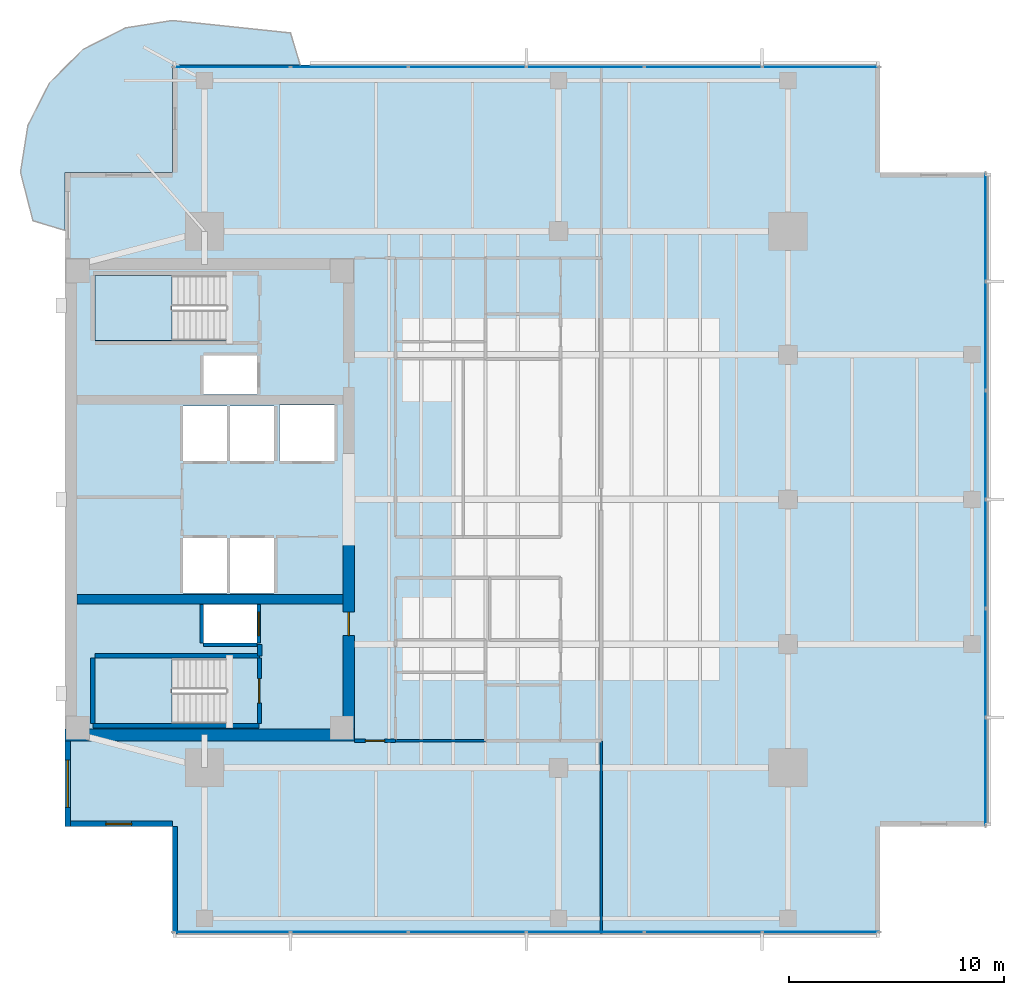
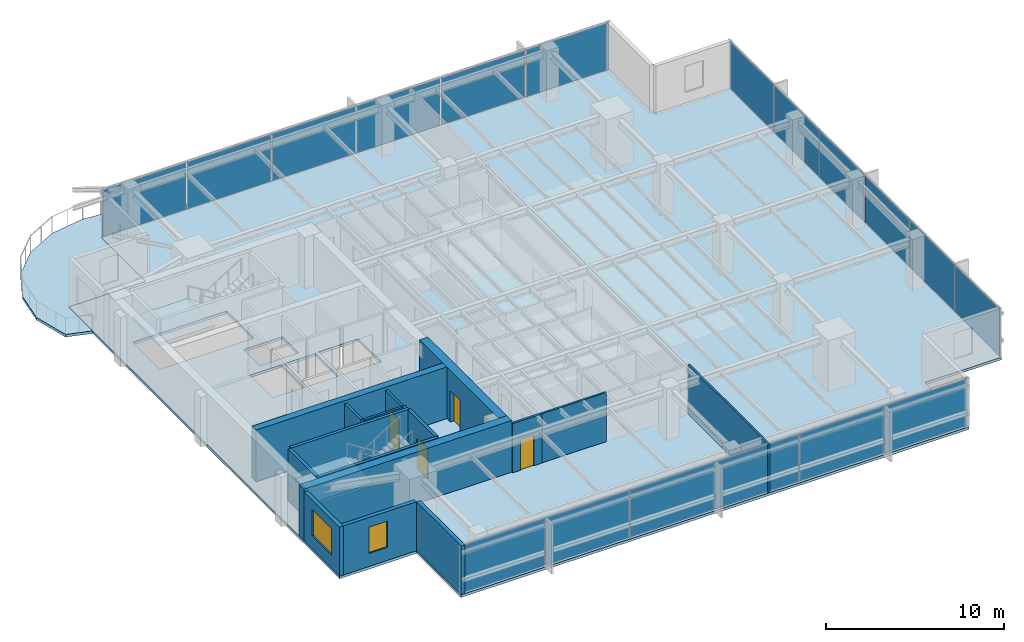
# One storey, part 7 of 14: 18 plates, 17 walls, 4 doors, 4 slabs, 2 windows, 6 openings, 5 elements without a shape of their own.
"""IFC4 building model written with IfcOpenShell, lengths in metres."""

from ifc_helpers import new_model, si_unit, direction, frame, frame_2d, origin, origin_2d, place, context, subcontext, project, spatial, polyline, rectangle, outline, extrude, material, layer, layer_set, type_object, element, fill, aggregate, save


model = new_model("IFC4")

# Units and contexts
model_context = context("Model", 3, precision=1e-05, world=origin(), true_north=direction((0.0, 1.0)))
body_context = subcontext(model_context, "Body", "Model", "MODEL_VIEW")
ifc_project = project(units=[si_unit("LENGTHUNIT", "METRE"), si_unit("AREAUNIT", "SQUARE_METRE"), si_unit("VOLUMEUNIT", "CUBIC_METRE"), si_unit("PLANEANGLEUNIT", "RADIAN"), si_unit("MASSUNIT", "GRAM", prefix="KILO")], contexts=[model_context])

# Site, building, storey
site_placement = place(None, origin())
site = spatial("IfcSite", under=ifc_project, at=site_placement, CompositionType="ELEMENT")
building_placement = place(site_placement, origin())
building = spatial("IfcBuilding", under=site, at=building_placement, Name="Kinhvarn Gate Tower", CompositionType="ELEMENT")
storey_placement = place(building_placement, frame((0.0, 0.0, 198.699951171875)))
storey = spatial("IfcBuildingStorey", under=building, at=storey_placement, Name="L52", CompositionType="ELEMENT", Elevation=198.699951171875)

# Curtain wall, plates
ifc_material_1 = material(Name="Anodised aluminium AW-6063", Category="aluminium")
ifc_layer_1 = layer(ifc_material_1, 0.179931640625)
ifc_layer_set_1 = layer_set([ifc_layer_1], Name="Anodised aluminium AW-6063")
curtain_wall_type = type_object("IfcCurtainWallType", Name="CW-SYS-3", PredefinedType="NOTDEFINED", material=ifc_layer_set_1)
curtain_wall_1_placement = place(storey_placement, origin())
curtain_wall_1 = element("IfcCurtainWall", 1, at=curtain_wall_1_placement, inside=storey, type_object=curtain_wall_type, Name="Curtain Wall CW3 (L52)", PredefinedType="NOTDEFINED")
ifc_material_2 = material(Name="Clear low-e double glazing", Category="glass")
ifc_layer_2 = layer(ifc_material_2, 0.031982421875)
ifc_layer_set_2 = layer_set([ifc_layer_2], Name="Clear low-e double glazing")
plate_type = type_object("IfcPlateType", Name="CW-PNL-VIS", PredefinedType="CURTAIN_PANEL", material=ifc_layer_set_2)
plate_1_placement = place(storey_placement, frame((12.266357421875, 5.090087890625, 0.070068359375), z_axis=(0.0, 0.0, 1.0), x_axis=(1.0, 0.0, 0.0)))
plate_1 = element("IfcPlate", 2, at=plate_1_placement, type_object=plate_type, Name="CW3 panel 1.1", PredefinedType="CURTAIN_PANEL", context=body_context, shape_type="SweptSolid", body=[
    extrude(rectangle(XDim=5.402587890625, YDim=0.031982421875, at=origin_2d()), origin(), (0.0, 0.0, 1.0), 3.22998046875),
])
plate_2_placement = place(storey_placement, frame((17.75, 5.090087890625, 0.070068359375), z_axis=(0.0, 0.0, 1.0), x_axis=(1.0, 0.0, 0.0)))
plate_2 = element("IfcPlate", 3, at=plate_2_placement, type_object=plate_type, Name="CW3 panel 2.1", PredefinedType="CURTAIN_PANEL", context=body_context, shape_type="SweptSolid", body=[
    extrude(rectangle(XDim=5.43505859375, YDim=0.031982421875, at=origin_2d()), origin(), (0.0, 0.0, 1.0), 3.22998046875),
])
plate_3_placement = place(storey_placement, frame((23.25, 5.090087890625, 0.070068359375), z_axis=(0.0, 0.0, 1.0), x_axis=(1.0, 0.0, 0.0)))
plate_3 = element("IfcPlate", 4, at=plate_3_placement, type_object=plate_type, Name="CW3 panel 3.1", PredefinedType="CURTAIN_PANEL", context=body_context, shape_type="SweptSolid", body=[
    extrude(rectangle(XDim=5.43505859375, YDim=0.031982421875, at=origin_2d()), origin(), (0.0, 0.0, 1.0), 3.22998046875),
])
plate_4_placement = place(storey_placement, frame((28.75, 5.090087890625, 0.070068359375), z_axis=(0.0, 0.0, 1.0), x_axis=(1.0, 0.0, 0.0)))
plate_4 = element("IfcPlate", 5, at=plate_4_placement, type_object=plate_type, Name="CW3 panel 4.1", PredefinedType="CURTAIN_PANEL", context=body_context, shape_type="SweptSolid", body=[
    extrude(rectangle(XDim=5.43505859375, YDim=0.031982421875, at=origin_2d()), origin(), (0.0, 0.0, 1.0), 3.22998046875),
])
plate_5_placement = place(storey_placement, frame((34.25, 5.090087890625, 0.070068359375), z_axis=(0.0, 0.0, 1.0), x_axis=(1.0, 0.0, 0.0)))
plate_5 = element("IfcPlate", 6, at=plate_5_placement, type_object=plate_type, Name="CW3 panel 5.1", PredefinedType="CURTAIN_PANEL", context=body_context, shape_type="SweptSolid", body=[
    extrude(rectangle(XDim=5.43505859375, YDim=0.031982421875, at=origin_2d()), origin(), (0.0, 0.0, 1.0), 3.22998046875),
])
plate_6_placement = place(storey_placement, frame((39.733642578125, 5.090087890625, 0.070068359375), z_axis=(0.0, 0.0, 1.0), x_axis=(1.0, 0.0, 0.0)))
plate_6 = element("IfcPlate", 7, at=plate_6_placement, type_object=plate_type, Name="CW3 panel 6.1", PredefinedType="CURTAIN_PANEL", context=body_context, shape_type="SweptSolid", body=[
    extrude(rectangle(XDim=5.402587890625, YDim=0.031982421875, at=origin_2d()), origin(), (0.0, 0.0, 1.0), 3.22998046875),
])
aggregate(curtain_wall_1, [plate_1, plate_2, plate_3, plate_4, plate_5, plate_6])

curtain_wall_2_placement = place(storey_placement, origin())
curtain_wall_2 = element("IfcCurtainWall", 8, at=curtain_wall_2_placement, inside=storey, type_object=curtain_wall_type, Name="Curtain Wall CW3 (L52)", PredefinedType="NOTDEFINED")
plate_7_placement = place(storey_placement, frame((39.733642578125, 45.409912109375, 0.070068359375), z_axis=(0.0, 0.0, 1.0), x_axis=(-1.0, 0.0, 0.0)))
plate_7 = element("IfcPlate", 9, at=plate_7_placement, type_object=plate_type, Name="CW3 panel 1.1", PredefinedType="CURTAIN_PANEL", context=body_context, shape_type="SweptSolid", body=[
    extrude(rectangle(XDim=5.402587890625, YDim=0.031982421875, at=origin_2d()), origin(), (0.0, 0.0, 1.0), 3.22998046875),
])
plate_8_placement = place(storey_placement, frame((34.25, 45.409912109375, 0.070068359375), z_axis=(0.0, 0.0, 1.0), x_axis=(-1.0, 0.0, 0.0)))
plate_8 = element("IfcPlate", 10, at=plate_8_placement, type_object=plate_type, Name="CW3 panel 2.1", PredefinedType="CURTAIN_PANEL", context=body_context, shape_type="SweptSolid", body=[
    extrude(rectangle(XDim=5.43505859375, YDim=0.031982421875, at=origin_2d()), origin(), (0.0, 0.0, 1.0), 3.22998046875),
])
plate_9_placement = place(storey_placement, frame((28.75, 45.409912109375, 0.070068359375), z_axis=(0.0, 0.0, 1.0), x_axis=(-1.0, 0.0, 0.0)))
plate_9 = element("IfcPlate", 11, at=plate_9_placement, type_object=plate_type, Name="CW3 panel 3.1", PredefinedType="CURTAIN_PANEL", context=body_context, shape_type="SweptSolid", body=[
    extrude(rectangle(XDim=5.43505859375, YDim=0.031982421875, at=origin_2d()), origin(), (0.0, 0.0, 1.0), 3.22998046875),
])
plate_10_placement = place(storey_placement, frame((23.25, 45.409912109375, 0.070068359375), z_axis=(0.0, 0.0, 1.0), x_axis=(-1.0, 0.0, 0.0)))
plate_10 = element("IfcPlate", 12, at=plate_10_placement, type_object=plate_type, Name="CW3 panel 4.1", PredefinedType="CURTAIN_PANEL", context=body_context, shape_type="SweptSolid", body=[
    extrude(rectangle(XDim=5.43505859375, YDim=0.031982421875, at=origin_2d()), origin(), (0.0, 0.0, 1.0), 3.22998046875),
])
plate_11_placement = place(storey_placement, frame((17.75, 45.409912109375, 0.070068359375), z_axis=(0.0, 0.0, 1.0), x_axis=(-1.0, 0.0, 0.0)))
plate_11 = element("IfcPlate", 13, at=plate_11_placement, type_object=plate_type, Name="CW3 panel 5.1", PredefinedType="CURTAIN_PANEL", context=body_context, shape_type="SweptSolid", body=[
    extrude(rectangle(XDim=5.43505859375, YDim=0.031982421875, at=origin_2d()), origin(), (0.0, 0.0, 1.0), 3.22998046875),
])
plate_12_placement = place(storey_placement, frame((12.266357421875, 45.409912109375, 0.070068359375), z_axis=(0.0, 0.0, 1.0), x_axis=(-1.0, 0.0, 0.0)))
plate_12 = element("IfcPlate", 14, at=plate_12_placement, type_object=plate_type, Name="CW3 panel 6.1", PredefinedType="CURTAIN_PANEL", context=body_context, shape_type="SweptSolid", body=[
    extrude(rectangle(XDim=5.402587890625, YDim=0.031982421875, at=origin_2d()), origin(), (0.0, 0.0, 1.0), 3.22998046875),
])
aggregate(curtain_wall_2, [plate_7, plate_8, plate_9, plate_10, plate_11, plate_12])

curtain_wall_3_placement = place(storey_placement, origin())
curtain_wall_3 = element("IfcCurtainWall", 15, at=curtain_wall_3_placement, inside=storey, type_object=curtain_wall_type, Name="Curtain Wall CW3 (L52)", PredefinedType="NOTDEFINED")
plate_13_placement = place(storey_placement, frame((47.409912109375, 12.557861328125, 0.070068359375), z_axis=(0.0, 0.0, 1.0), x_axis=(0.0, 1.0, 0.0)))
plate_13 = element("IfcPlate", 16, at=plate_13_placement, type_object=plate_type, Name="CW3 panel 1.1", PredefinedType="CURTAIN_PANEL", context=body_context, shape_type="SweptSolid", body=[
    extrude(rectangle(XDim=4.98583984375, YDim=0.031982421875, at=origin_2d()), origin(), (0.0, 0.0, 1.0), 3.22998046875),
])
plate_14_placement = place(storey_placement, frame((47.409912109375, 17.625, 0.070068359375), z_axis=(0.0, 0.0, 1.0), x_axis=(0.0, 1.0, 0.0)))
plate_14 = element("IfcPlate", 17, at=plate_14_placement, type_object=plate_type, Name="CW3 panel 2.1", PredefinedType="CURTAIN_PANEL", context=body_context, shape_type="SweptSolid", body=[
    extrude(rectangle(XDim=5.018310546875, YDim=0.031982421875, at=origin_2d()), origin(), (0.0, 0.0, 1.0), 3.22998046875),
])
plate_15_placement = place(storey_placement, frame((47.409912109375, 22.708251953125, 0.070068359375), z_axis=(0.0, 0.0, 1.0), x_axis=(0.0, 1.0, 0.0)))
plate_15 = element("IfcPlate", 18, at=plate_15_placement, type_object=plate_type, Name="CW3 panel 3.1", PredefinedType="CURTAIN_PANEL", context=body_context, shape_type="SweptSolid", body=[
    extrude(rectangle(XDim=5.018310546875, YDim=0.031982421875, at=origin_2d()), origin(), (0.0, 0.0, 1.0), 3.22998046875),
])
plate_16_placement = place(storey_placement, frame((47.409912109375, 27.791748046875, 0.070068359375), z_axis=(0.0, 0.0, 1.0), x_axis=(0.0, 1.0, 0.0)))
plate_16 = element("IfcPlate", 19, at=plate_16_placement, type_object=plate_type, Name="CW3 panel 4.1", PredefinedType="CURTAIN_PANEL", context=body_context, shape_type="SweptSolid", body=[
    extrude(rectangle(XDim=5.018310546875, YDim=0.031982421875, at=origin_2d()), origin(), (0.0, 0.0, 1.0), 3.22998046875),
])
plate_17_placement = place(storey_placement, frame((47.409912109375, 32.875, 0.070068359375), z_axis=(0.0, 0.0, 1.0), x_axis=(0.0, 1.0, 0.0)))
plate_17 = element("IfcPlate", 20, at=plate_17_placement, type_object=plate_type, Name="CW3 panel 5.1", PredefinedType="CURTAIN_PANEL", context=body_context, shape_type="SweptSolid", body=[
    extrude(rectangle(XDim=5.018310546875, YDim=0.031982421875, at=origin_2d()), origin(), (0.0, 0.0, 1.0), 3.22998046875),
])
plate_18_placement = place(storey_placement, frame((47.409912109375, 37.942138671875, 0.070068359375), z_axis=(0.0, 0.0, 1.0), x_axis=(0.0, 1.0, 0.0)))
plate_18 = element("IfcPlate", 21, at=plate_18_placement, type_object=plate_type, Name="CW3 panel 6.1", PredefinedType="CURTAIN_PANEL", context=body_context, shape_type="SweptSolid", body=[
    extrude(rectangle(XDim=4.98583984375, YDim=0.031982421875, at=origin_2d()), origin(), (0.0, 0.0, 1.0), 3.22998046875),
])
aggregate(curtain_wall_3, [plate_13, plate_14, plate_15, plate_16, plate_17, plate_18])

# Slabs
ifc_material_3 = material(Name="Precast white architectural concrete C40/50", Category="concrete")
ifc_layer_3 = layer(ifc_material_3, 0.179931640625)
ifc_layer_set_3 = layer_set([ifc_layer_3], Name="Precast white architectural concrete C40/50")
slab_type_1 = type_object("IfcSlabType", Name="SLB-BAL-180", PredefinedType="FLOOR", material=ifc_layer_set_3)
slab_1_placement = place(storey_placement, frame((0.0, 0.0, -0.179931640625)))
element("IfcSlab", 22, at=slab_1_placement, inside=storey, type_object=slab_type_1, Name="S-Carve Curved Terrace Balcony Slab L52 (NW)", PredefinedType="FLOOR", context=body_context, shape_type="SweptSolid", body=[
    extrude(outline(polyline([(15.4609375, 45.5), (15.010986328125, 46.99462890625), (9.5, 47.575927734375), (7.3134765625, 47.229736328125), (5.3408203125, 46.224609375), (3.775390625, 44.6591796875), (2.770263671875, 42.6865234375), (2.424072265625, 40.5), (3.00537109375, 38.241943359375), (4.5, 37.7919921875), (4.5, 40.5), (9.5, 40.5), (9.5, 45.5), (15.4609375, 45.5)])), origin(), (0.0, 0.0, 1.0), 0.179931640625),
])
ifc_material_4 = material(Name="Concrete C40/50", Category="concrete")
ifc_layer_4 = layer(ifc_material_4, 0.179931640625)
ifc_layer_set_4 = layer_set([ifc_layer_4], Name="Concrete C40/50")
slab_type_2 = type_object("IfcSlabType", Name="SLB-FLR-180", PredefinedType="FLOOR", material=ifc_layer_set_4)
slab_2_placement = place(storey_placement, frame((0.0, 0.0, -0.179931640625)))
element("IfcSlab", 23, at=slab_2_placement, inside=storey, type_object=slab_type_2, Name="Suspended Floor Slab L52", PredefinedType="FLOOR", context=body_context, shape_type="SweptSolid", body=[
    extrude(outline(polyline([(9.5, 5.0), (42.5, 5.0), (42.5, 10.0), (47.5, 10.0), (47.5, 40.5), (42.5, 40.5), (42.5, 45.5), (9.5, 45.5), (9.5, 40.5), (4.5, 40.5), (4.5, 10.0), (9.5, 10.0), (9.5, 5.0)]), holes=[polyline([(5.89990234375, 14.800048828125), (12.0, 14.800048828125), (12.0, 17.85009765625), (5.89990234375, 17.85009765625), (5.89990234375, 14.800048828125)]), polyline([(5.89990234375, 32.64990234375), (12.0, 32.64990234375), (12.0, 35.699951171875), (5.89990234375, 35.699951171875), (5.89990234375, 32.64990234375)]), polyline([(10.0, 20.89990234375), (12.050048828125, 20.89990234375), (12.050048828125, 23.449951171875), (10.0, 23.449951171875), (10.0, 20.89990234375)]), polyline([(12.199951171875, 20.89990234375), (14.25, 20.89990234375), (14.25, 23.449951171875), (12.199951171875, 23.449951171875), (12.199951171875, 20.89990234375)]), polyline([(10.0, 27.050048828125), (12.050048828125, 27.050048828125), (12.050048828125, 29.60009765625), (10.0, 29.60009765625), (10.0, 27.050048828125)]), polyline([(12.199951171875, 27.050048828125), (14.25, 27.050048828125), (14.25, 29.60009765625), (12.199951171875, 29.60009765625), (12.199951171875, 27.050048828125)]), polyline([(14.5, 27.050048828125), (17.050048828125, 27.050048828125), (17.050048828125, 29.64990234375), (14.5, 29.64990234375), (14.5, 27.050048828125)]), polyline([(10.949951171875, 18.550048828125), (13.449951171875, 18.550048828125), (13.449951171875, 20.35009765625), (10.949951171875, 20.35009765625), (10.949951171875, 18.550048828125)]), polyline([(10.949951171875, 30.14990234375), (13.449951171875, 30.14990234375), (13.449951171875, 31.949951171875), (10.949951171875, 31.949951171875), (10.949951171875, 30.14990234375)])]), origin(), (0.0, 0.0, 1.0), 0.179931640625),
])

# Stair, slab
stair_type = type_object("IfcStairType", Name="STR-DLG-178", PredefinedType="HALF_TURN_STAIR", material=ifc_material_4)
stair_1_placement = place(storey_placement, origin())
stair_1 = element("IfcStair", 24, at=stair_1_placement, inside=storey, type_object=stair_type, Name="L52 Core Smokeproof Exit Stair ST1", PredefinedType="HALF_TURN_STAIR")
ifc_layer_5 = layer(ifc_material_4, 0.199951171875)
ifc_layer_set_5 = layer_set([ifc_layer_5], Name="Concrete C40/50")
slab_type_3 = type_object("IfcSlabType", Name="SLB-ST-LND", PredefinedType="LANDING", material=ifc_layer_set_5)
slab_3_placement = place(storey_placement, frame((0.0, 0.0, 1.574951171875)))
slab_3 = element("IfcSlab", 25, at=slab_3_placement, type_object=slab_type_3, Name="ST1 landing 1", PredefinedType="LANDING", context=body_context, shape_type="SweptSolid", body=[
    extrude(outline(polyline([(9.47998046875, 17.85009765625), (5.89990234375, 17.85009765625), (5.89990234375, 14.800048828125), (9.47998046875, 14.800048828125), (9.47998046875, 17.85009765625)])), origin(), (0.0, 0.0, 1.0), 0.2001953125),
])
aggregate(stair_1, [slab_3])

stair_2_placement = place(storey_placement, origin())
stair_2 = element("IfcStair", 26, at=stair_2_placement, inside=storey, type_object=stair_type, Name="L52 Core Smokeproof Exit Stair ST2", PredefinedType="HALF_TURN_STAIR")
slab_4_placement = place(storey_placement, frame((0.0, 0.0, 1.574951171875)))
slab_4 = element("IfcSlab", 27, at=slab_4_placement, type_object=slab_type_3, Name="ST2 landing 1", PredefinedType="LANDING", context=body_context, shape_type="SweptSolid", body=[
    extrude(outline(polyline([(9.47998046875, 35.699951171875), (5.89990234375, 35.699951171875), (5.89990234375, 32.64990234375), (9.47998046875, 32.64990234375), (9.47998046875, 35.699951171875)])), origin(), (0.0, 0.0, 1.0), 0.2001953125),
])
aggregate(stair_2, [slab_4])

# Walls
ifc_material_5 = material(Name="Concrete C50/60", Category="concrete")
ifc_layer_6 = layer(ifc_material_5, 0.449951171875)
ifc_layer_set_6 = layer_set([ifc_layer_6], Name="Concrete C50/60")
wall_type_1 = type_object("IfcWallType", Name="WL-CORE-450", PredefinedType="SHEAR", material=ifc_layer_set_6)
wall_1_placement = place(storey_placement, frame((5.050048828125, 20.60009765625, 0.0), z_axis=(0.0, 0.0, 1.0), x_axis=(1.0, 0.0, 0.0)))
element("IfcWall", 28, at=wall_1_placement, inside=storey, type_object=wall_type_1, Name="Core South Spine Shear Wall L52 450 mm", PredefinedType="SHEAR", context=body_context, shape_type="SweptSolid", body=[
    extrude(rectangle(XDim=12.39990234375, YDim=0.449951171875, at=frame_2d((6.199951171875, 0.0))), origin(), (0.0, 0.0, 1.0), 3.550048828125),
])
ifc_material_6 = material(Name="Concrete C60/75", Category="concrete")
ifc_layer_7 = layer(ifc_material_6, 0.550048828125)
ifc_layer_set_7 = layer_set([ifc_layer_7], Name="Concrete C60/75")
wall_type_2 = type_object("IfcWallType", Name="WL-CORE-550", PredefinedType="SHEAR", material=ifc_layer_set_7)
wall_2_placement = place(storey_placement, frame((4.5, 14.27490234375, 0.0), z_axis=(0.0, 0.0, 1.0), x_axis=(1.0, 0.0, 0.0)))
element("IfcWall", 29, at=wall_2_placement, inside=storey, type_object=wall_type_2, Name="Core South Shear Wall L52 550 mm", PredefinedType="SHEAR", context=body_context, shape_type="SweptSolid", body=[
    extrude(rectangle(XDim=13.5, YDim=0.550048828125, at=frame_2d((6.75, 0.0))), origin(), (0.0, 0.0, 1.0), 3.550048828125),
])

# Wall, opening, door
wall_3_placement = place(storey_placement, frame((17.72509765625, 14.550048828125, 0.0), z_axis=(0.0, 0.0, 1.0), x_axis=(0.0, 1.0, 0.0)))
wall_3 = element("IfcWall", 30, at=wall_3_placement, inside=storey, type_object=wall_type_2, Name="Core East-South Shear Pier L52 550 mm", PredefinedType="SHEAR", context=body_context, shape_type="SweptSolid", body=[
    extrude(rectangle(XDim=8.89990234375, YDim=0.550048828125, at=frame_2d((4.449951171875, 0.0))), origin(), (0.0, 0.0, 1.0), 3.550048828125),
])
opening_1_placement = place(wall_3_placement, frame((4.35009765625, 0.0, 0.0)))
opening_1 = element("IfcOpeningElement", 31, at=opening_1_placement, cuts=wall_3, Name="Opening FD-02", PredefinedType="OPENING", context=body_context, shape_type="SweptSolid", body=[
    extrude(rectangle(XDim=1.10009765625, YDim=2.14990234375, at=frame_2d((0.550048828125, 1.074951171875))), frame((0.0, 0.28515625, 0.0), z_axis=(0.0, -1.0, 0.0), x_axis=(1.0, 0.0, 0.0)), (0.0, 0.0, 1.0), 0.570068359375),
])
door_type_1 = type_object("IfcDoorType", Name="DR-FD-1100", OperationType="NOTDEFINED", PredefinedType="DOOR", material=ifc_material_1)
door_1_placement = place(opening_1_placement, origin())
door_1 = element("IfcDoor", 32, at=door_1_placement, inside=storey, type_object=door_type_1, Name="Firefighting Lobby Core Door (L52)", OperationType="SINGLE_SWING_RIGHT", OverallHeight=2.14990234375, OverallWidth=1.10009765625, PredefinedType="DOOR", context=body_context, shape_type="SweptSolid", body=[
    extrude(rectangle(XDim=1.10009765625, YDim=2.14990234375, at=frame_2d((0.550048828125, 1.074951171875))), frame((0.0, 0.02490234375, 0.0), z_axis=(0.0, -1.0, 0.0), x_axis=(1.0, 0.0, 0.0)), (0.0, 0.0, 1.0), 0.050048828125),
])
fill(opening_1, door_1)

# Wall, opening, window
ifc_material_7 = material(Name="Fired architectural terracotta", Category="masonry")
ifc_layer_8 = layer(ifc_material_7, 0.25)
ifc_layer_set_8 = layer_set([ifc_layer_8], Name="Fired architectural terracotta")
wall_type_3 = type_object("IfcWallType", Name="WL-EXT-250", PredefinedType="SOLIDWALL", material=ifc_layer_set_8)
wall_4_placement = place(storey_placement, frame((4.625, 14.0, 0.0), z_axis=(0.0, 0.0, 1.0), x_axis=(0.0, -1.0, 0.0)))
wall_4 = element("IfcWall", 33, at=wall_4_placement, inside=storey, type_object=wall_type_3, Name="Exterior Solidwall Wall EW-250 (L52 West-South)", PredefinedType="SOLIDWALL", context=body_context, shape_type="SweptSolid", body=[
    extrude(rectangle(XDim=4.0, YDim=0.25, at=frame_2d((2.0, 0.0))), origin(), (0.0, 0.0, 1.0), 3.3701171875),
])
opening_2_placement = place(wall_4_placement, frame((0.89990234375, 0.0, 0.89990234375)))
opening_2 = element("IfcOpeningElement", 34, at=opening_2_placement, cuts=wall_4, Name="Opening WN-01", PredefinedType="OPENING", context=body_context, shape_type="SweptSolid", body=[
    extrude(rectangle(XDim=2.199951171875, YDim=1.800048828125, at=frame_2d((1.10009765625, 0.89990234375))), frame((0.0, 0.135009765625, 0.0), z_axis=(0.0, -1.0, 0.0), x_axis=(1.0, 0.0, 0.0)), (0.0, 0.0, 1.0), 0.27001953125),
])
window_type_1 = type_object("IfcWindowType", Name="WIN-RIB-2200", PartitioningType="SINGLE_PANEL", PredefinedType="WINDOW", material=ifc_material_2)
window_1_placement = place(opening_2_placement, origin())
window_1 = element("IfcWindow", 35, at=window_1_placement, inside=storey, type_object=window_type_1, Name="West Flank Double-Glazed Ribbon Window 2200x1800 mm (L52)", OverallHeight=1.800048828125, OverallWidth=2.199951171875, PartitioningType="SINGLE_PANEL", PredefinedType="WINDOW", context=body_context, shape_type="SweptSolid", body=[
    extrude(rectangle(XDim=2.199951171875, YDim=1.800048828125, at=frame_2d((1.10009765625, 0.89990234375))), frame((0.0, 0.030029296875, 0.0), z_axis=(0.0, -1.0, 0.0), x_axis=(1.0, 0.0, 0.0)), (0.0, 0.0, 1.0), 0.06005859375),
])
fill(opening_2, window_1)

wall_5_placement = place(storey_placement, frame((4.5, 10.125, 0.0), z_axis=(0.0, 0.0, 1.0), x_axis=(1.0, 0.0, 0.0)))
wall_5 = element("IfcWall", 36, at=wall_5_placement, inside=storey, type_object=wall_type_3, Name="Exterior Solidwall Wall EW-250 (L52 SW-Notch-1)", PredefinedType="SOLIDWALL", context=body_context, shape_type="SweptSolid", body=[
    extrude(rectangle(XDim=5.0, YDim=0.25, at=frame_2d((2.5, 0.0))), origin(), (0.0, 0.0, 1.0), 3.3701171875),
])
opening_3_placement = place(wall_5_placement, frame((1.89990234375, 0.0, 0.89990234375)))
opening_3 = element("IfcOpeningElement", 37, at=opening_3_placement, cuts=wall_5, Name="Opening WN-02", PredefinedType="OPENING", context=body_context, shape_type="SweptSolid", body=[
    extrude(rectangle(XDim=1.199951171875, YDim=1.800048828125, at=frame_2d((0.60009765625, 0.89990234375))), frame((0.0, 0.135009765625, 0.0), z_axis=(0.0, -1.0, 0.0), x_axis=(1.0, 0.0, 0.0)), (0.0, 0.0, 1.0), 0.27001953125),
])
window_type_2 = type_object("IfcWindowType", Name="WIN-NTC-1200", PartitioningType="SINGLE_PANEL", PredefinedType="WINDOW", material=ifc_material_2)
window_2_placement = place(opening_3_placement, origin())
window_2 = element("IfcWindow", 38, at=window_2_placement, inside=storey, type_object=window_type_2, Name="Recessed Corner Notch Punched Window 1200x1800 mm (L52)", OverallHeight=1.800048828125, OverallWidth=1.199951171875, PartitioningType="SINGLE_PANEL", PredefinedType="WINDOW", context=body_context, shape_type="SweptSolid", body=[
    extrude(rectangle(XDim=1.199951171875, YDim=1.800048828125, at=frame_2d((0.60009765625, 0.89990234375))), frame((0.0, 0.030029296875, 0.0), z_axis=(0.0, -1.0, 0.0), x_axis=(1.0, 0.0, 0.0)), (0.0, 0.0, 1.0), 0.06005859375),
])
fill(opening_3, window_2)

# Walls
wall_6_placement = place(storey_placement, frame((9.625, 10.0, 0.0), z_axis=(0.0, 0.0, 1.0), x_axis=(0.0, -1.0, 0.0)))
element("IfcWall", 39, at=wall_6_placement, inside=storey, type_object=wall_type_3, Name="Exterior Solidwall Wall EW-250 (L52 SW-Notch-2)", PredefinedType="SOLIDWALL", context=body_context, shape_type="SweptSolid", body=[
    extrude(rectangle(XDim=5.0, YDim=0.25, at=frame_2d((2.5, 0.0))), origin(), (0.0, 0.0, 1.0), 3.3701171875),
])
ifc_material_8 = material(Name="Gypsum acoustic partition board")
ifc_layer_9 = layer(ifc_material_8, 0.1201171875)
ifc_layer_set_9 = layer_set([ifc_layer_9], Name="Gypsum acoustic partition board")
wall_type_4 = type_object("IfcWallType", Name="WL-PRT-120", PredefinedType="PARTITIONING", material=ifc_layer_set_9)
wall_7_placement = place(storey_placement, frame((19.89990234375, 14.0, 0.0), z_axis=(0.0, 0.0, 1.0), x_axis=(1.0, 0.0, 0.0)))
element("IfcWall", 40, at=wall_7_placement, inside=storey, type_object=wall_type_4, Name="Interior Partition PW-120 (L52)", PredefinedType="PARTITIONING", context=body_context, shape_type="SweptSolid", body=[
    extrude(rectangle(XDim=4.2001953125, YDim=0.1201171875, at=frame_2d((2.10009765625, 0.0))), origin(), (0.0, 0.0, 1.0), 3.3701171875),
])
wall_8_placement = place(storey_placement, frame((29.5, 5.010009765625, 0.0), z_axis=(0.0, 0.0, 1.0), x_axis=(0.0, 1.0, 0.0)))
element("IfcWall", 41, at=wall_8_placement, inside=storey, type_object=wall_type_4, Name="Interior Partition PW-120 (L52)", PredefinedType="PARTITIONING", context=body_context, shape_type="SweptSolid", body=[
    extrude(rectangle(XDim=8.989990234375, YDim=0.1201171875, at=frame_2d((4.4951171875, 0.0))), origin(), (0.0, 0.0, 1.0), 3.3701171875),
])

# Wall, opening, door
ifc_layer_10 = layer(ifc_material_8, 0.14990234375)
ifc_layer_set_10 = layer_set([ifc_layer_10], Name="Gypsum acoustic partition board")
wall_type_5 = type_object("IfcWallType", Name="WL-PRT-150F", PredefinedType="PARTITIONING", material=ifc_layer_set_10)
wall_9_placement = place(storey_placement, frame((18.0, 14.0, 0.0), z_axis=(0.0, 0.0, 1.0), x_axis=(1.0, 0.0, 0.0)))
wall_9 = element("IfcWall", 42, at=wall_9_placement, inside=storey, type_object=wall_type_5, Name="Interior Partition PW-150F (L52)", PredefinedType="PARTITIONING", context=body_context, shape_type="SweptSolid", body=[
    extrude(rectangle(XDim=1.89990234375, YDim=0.14990234375, at=frame_2d((0.949951171875, 0.0))), origin(), (0.0, 0.0, 1.0), 3.3701171875),
])
opening_4_placement = place(wall_9_placement, frame((0.5, 0.0, 0.0)))
opening_4 = element("IfcOpeningElement", 43, at=opening_4_placement, cuts=wall_9, Name="Opening ID-03", PredefinedType="OPENING", context=body_context, shape_type="SweptSolid", body=[
    extrude(rectangle(XDim=0.89990234375, YDim=2.10009765625, at=frame_2d((0.449951171875, 1.050048828125))), frame((0.0, 0.0849609375, 0.0), z_axis=(0.0, -1.0, 0.0), x_axis=(1.0, 0.0, 0.0)), (0.0, 0.0, 1.0), 0.169921875),
])
door_type_2 = type_object("IfcDoorType", Name="DR-INT-900", OperationType="NOTDEFINED", PredefinedType="DOOR", material=ifc_material_1)
door_2_placement = place(opening_4_placement, origin())
door_2 = element("IfcDoor", 44, at=door_2_placement, inside=storey, type_object=door_type_2, Name="Cellular Office & Restroom Door 900x2100 mm (L52)", OperationType="SINGLE_SWING_LEFT", OverallHeight=2.10009765625, OverallWidth=0.89990234375, PredefinedType="DOOR", context=body_context, shape_type="SweptSolid", body=[
    extrude(rectangle(XDim=0.89990234375, YDim=2.10009765625, at=frame_2d((0.449951171875, 1.050048828125))), frame((0.0, 0.02490234375, 0.0), z_axis=(0.0, -1.0, 0.0), x_axis=(1.0, 0.0, 0.0)), (0.0, 0.0, 1.0), 0.050048828125),
])
fill(opening_4, door_2)

# Walls
ifc_layer_11 = layer(ifc_material_8, 0.199951171875)
ifc_layer_set_11 = layer_set([ifc_layer_11], Name="Gypsum acoustic partition board")
wall_type_6 = type_object("IfcWallType", Name="WL-PRT-200", PredefinedType="PARTITIONING", material=ifc_layer_set_11)
wall_10_placement = place(storey_placement, frame((13.580078125, 17.9599609375, 0.0), z_axis=(0.0, 0.0, 1.0), x_axis=(0.0, 1.0, 0.0)))
element("IfcWall", 45, at=wall_10_placement, inside=storey, type_object=wall_type_6, Name="Interior Partition PW-200 (L52)", PredefinedType="PARTITIONING", context=body_context, shape_type="SweptSolid", body=[
    extrude(rectangle(XDim=0.5400390625, YDim=0.199951171875, at=frame_2d((0.27001953125, 0.0))), origin(), (0.0, 0.0, 1.0), 3.3701171875),
])
ifc_layer_12 = layer(ifc_material_8, 0.14990234375)
ifc_layer_set_12 = layer_set([ifc_layer_12], Name="Gypsum acoustic partition board")
wall_type_7 = type_object("IfcWallType", Name="WL-SHF-150", PredefinedType="PARTITIONING", material=ifc_layer_set_12)
wall_11_placement = place(storey_placement, frame((10.949951171875, 18.47509765625, 0.0), z_axis=(0.0, 0.0, 1.0), x_axis=(1.0, 0.0, 0.0)))
element("IfcWall", 46, at=wall_11_placement, inside=storey, type_object=wall_type_7, Name="Elevator FF1 Hoistway Wall S (L52)", PredefinedType="PARTITIONING", context=body_context, shape_type="SweptSolid", body=[
    extrude(rectangle(XDim=2.5, YDim=0.14990234375, at=frame_2d((1.25, 0.0))), origin(), (0.0, 0.0, 1.0), 3.3701171875),
])
wall_12_placement = place(storey_placement, frame((10.875, 18.550048828125, 0.0), z_axis=(0.0, 0.0, 1.0), x_axis=(0.0, 1.0, 0.0)))
element("IfcWall", 47, at=wall_12_placement, inside=storey, type_object=wall_type_7, Name="Elevator FF1 Hoistway Wall W (L52)", PredefinedType="PARTITIONING", context=body_context, shape_type="SweptSolid", body=[
    extrude(rectangle(XDim=1.800048828125, YDim=0.14990234375, at=frame_2d((0.89990234375, 0.0))), origin(), (0.0, 0.0, 1.0), 3.3701171875),
])

# Wall, opening, door
wall_13_placement = place(storey_placement, frame((13.52490234375, 18.550048828125, 0.0), z_axis=(0.0, 0.0, 1.0), x_axis=(0.0, 1.0, 0.0)))
wall_13 = element("IfcWall", 48, at=wall_13_placement, inside=storey, type_object=wall_type_7, Name="Elevator FF1 Landing Wall (L52)", PredefinedType="PARTITIONING", context=body_context, shape_type="SweptSolid", body=[
    extrude(rectangle(XDim=1.800048828125, YDim=0.14990234375, at=frame_2d((0.89990234375, 0.0))), origin(), (0.0, 0.0, 1.0), 3.3701171875),
])
opening_5_placement = place(wall_13_placement, frame((0.35009765625, 0.0, 0.0)))
opening_5 = element("IfcOpeningElement", 49, at=opening_5_placement, cuts=wall_13, Name="Opening LD-03", PredefinedType="OPENING", context=body_context, shape_type="SweptSolid", body=[
    extrude(rectangle(XDim=1.10009765625, YDim=2.199951171875, at=frame_2d((0.550048828125, 1.10009765625))), frame((0.0, 0.0849609375, 0.0), z_axis=(0.0, -1.0, 0.0), x_axis=(1.0, 0.0, 0.0)), (0.0, 0.0, 1.0), 0.169921875),
])
door_type_3 = type_object("IfcDoorType", Name="DR-LND-FF", OperationType="NOTDEFINED", PredefinedType="DOOR", material=ifc_material_1)
door_3_placement = place(opening_5_placement, origin())
door_3 = element("IfcDoor", 50, at=door_3_placement, inside=storey, type_object=door_type_3, Name="Elevator FF1 Sliding Landing Door (L52)", OperationType="DOUBLE_DOOR_SLIDING", OverallHeight=2.199951171875, OverallWidth=1.10009765625, PredefinedType="DOOR", context=body_context, shape_type="SweptSolid", body=[
    extrude(rectangle(XDim=1.10009765625, YDim=2.199951171875, at=frame_2d((0.550048828125, 1.10009765625))), frame((0.0, 0.02490234375, 0.0), z_axis=(0.0, -1.0, 0.0), x_axis=(1.0, 0.0, 0.0)), (0.0, 0.0, 1.0), 0.050048828125),
])
fill(opening_5, door_3)

# Walls
ifc_layer_13 = layer(ifc_material_4, 0.199951171875)
ifc_layer_set_13 = layer_set([ifc_layer_13], Name="Concrete C40/50")
wall_type_8 = type_object("IfcWallType", Name="WL-SHF-200", PredefinedType="SOLIDWALL", material=ifc_layer_set_13)
wall_14_placement = place(storey_placement, frame((5.800048828125, 14.699951171875, 0.0), z_axis=(0.0, 0.0, 1.0), x_axis=(1.0, 0.0, 0.0)))
element("IfcWall", 51, at=wall_14_placement, inside=storey, type_object=wall_type_8, Name="Stair ST1 South Shaft Wall (L52)", PredefinedType="SOLIDWALL", context=body_context, shape_type="SweptSolid", body=[
    extrude(rectangle(XDim=7.75, YDim=0.199951171875, at=frame_2d((3.875, 0.0))), origin(), (0.0, 0.0, 1.0), 3.550048828125),
])
wall_15_placement = place(storey_placement, frame((5.7900390625, 14.800048828125, 0.0), z_axis=(0.0, 0.0, 1.0), x_axis=(0.0, 1.0, 0.0)))
element("IfcWall", 52, at=wall_15_placement, inside=storey, type_object=wall_type_8, Name="Stair ST1 West Shaft Wall (L52)", PredefinedType="SOLIDWALL", context=body_context, shape_type="SweptSolid", body=[
    extrude(rectangle(XDim=3.050048828125, YDim=0.199951171875, at=frame_2d((1.52490234375, 0.0))), origin(), (0.0, 0.0, 1.0), 3.550048828125),
])
wall_16_placement = place(storey_placement, frame((5.89990234375, 17.9599609375, 0.0), z_axis=(0.0, 0.0, 1.0), x_axis=(1.0, 0.0, 0.0)))
element("IfcWall", 53, at=wall_16_placement, inside=storey, type_object=wall_type_8, Name="Stair ST1 North Shaft Wall (L52)", PredefinedType="SOLIDWALL", context=body_context, shape_type="SweptSolid", body=[
    extrude(rectangle(XDim=7.66015625, YDim=0.199951171875, at=frame_2d((3.830078125, 0.0))), origin(), (0.0, 0.0, 1.0), 3.550048828125),
])

# Wall, opening, door
wall_17_placement = place(storey_placement, frame((13.56005859375, 14.800048828125, 0.0), z_axis=(0.0, 0.0, 1.0), x_axis=(0.0, 1.0, 0.0)))
wall_17 = element("IfcWall", 54, at=wall_17_placement, inside=storey, type_object=wall_type_8, Name="Stair ST1 East Entry Wall (L52)", PredefinedType="SOLIDWALL", context=body_context, shape_type="SweptSolid", body=[
    extrude(rectangle(XDim=3.050048828125, YDim=0.199951171875, at=frame_2d((1.52490234375, 0.0))), origin(), (0.0, 0.0, 1.0), 3.550048828125),
])
opening_6_placement = place(wall_17_placement, frame((0.949951171875, 0.0, 0.0)))
opening_6 = element("IfcOpeningElement", 55, at=opening_6_placement, cuts=wall_17, Name="Opening FD-01", PredefinedType="OPENING", context=body_context, shape_type="SweptSolid", body=[
    extrude(rectangle(XDim=1.14990234375, YDim=2.14990234375, at=frame_2d((0.574951171875, 1.074951171875))), frame((0.0, 0.10986328125, 0.0), z_axis=(0.0, -1.0, 0.0), x_axis=(1.0, 0.0, 0.0)), (0.0, 0.0, 1.0), 0.219970703125),
])
door_type_4 = type_object("IfcDoorType", Name="DR-ST-1150", OperationType="NOTDEFINED", PredefinedType="DOOR", material=ifc_material_1)
door_4_placement = place(opening_6_placement, origin())
door_4 = element("IfcDoor", 56, at=door_4_placement, inside=storey, type_object=door_type_4, Name="Exit Stair ST1 Fire Door (L52)", OperationType="SINGLE_SWING_RIGHT", OverallHeight=2.14990234375, OverallWidth=1.14990234375, PredefinedType="DOOR", context=body_context, shape_type="SweptSolid", body=[
    extrude(rectangle(XDim=1.14990234375, YDim=2.14990234375, at=frame_2d((0.574951171875, 1.074951171875))), frame((0.0, 0.02490234375, 0.0), z_axis=(0.0, -1.0, 0.0), x_axis=(1.0, 0.0, 0.0)), (0.0, 0.0, 1.0), 0.050048828125),
])
fill(opening_6, door_4)

save(model, "model.ifc")
